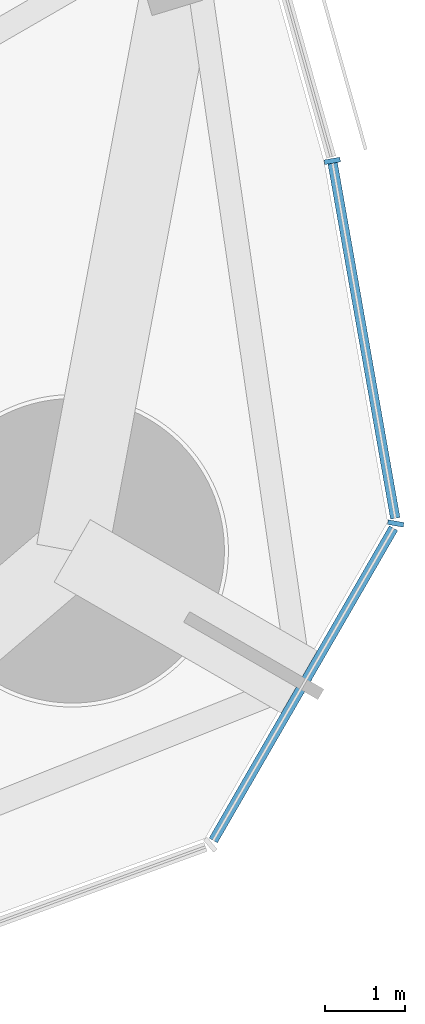
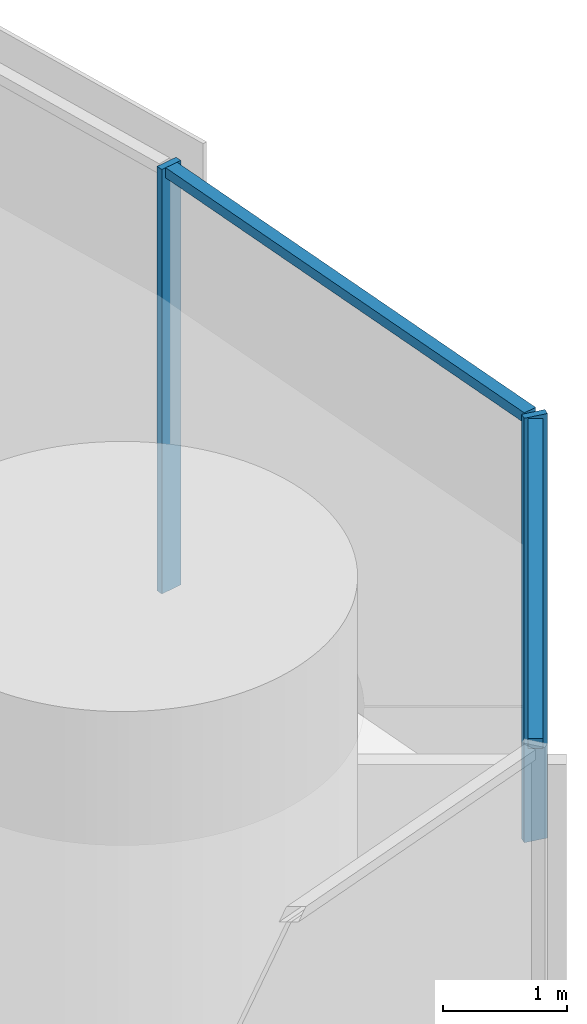
# One storey, part 9 of 18: 4 members, 1 element without a shape of its own.
"""IFC4 building model written with IfcOpenShell, lengths in metres."""

from ifc_helpers import new_model, si_unit, direction, frame, origin, origin_2d, place, context, subcontext, project, spatial, rectangle, extrude, material, material_profile, profile_set, type_object, element, aggregate, save


model = new_model("IFC4")

# Units and contexts
model_context = context("Model", 3, precision=1e-05, world=origin(), true_north=direction((0.0, 1.0)))
body_context = subcontext(model_context, "Body", "Model", "MODEL_VIEW")
ifc_project = project(units=[si_unit("LENGTHUNIT", "METRE"), si_unit("AREAUNIT", "SQUARE_METRE"), si_unit("VOLUMEUNIT", "CUBIC_METRE"), si_unit("PLANEANGLEUNIT", "RADIAN"), si_unit("MASSUNIT", "GRAM", prefix="KILO")], contexts=[model_context])

# Site, building, storey
site_placement = place(None, origin())
site = spatial("IfcSite", under=ifc_project, at=site_placement, CompositionType="ELEMENT")
building_placement = place(site_placement, origin())
building = spatial("IfcBuilding", under=site, at=building_placement, Name="Trefoil Bronze Tower", CompositionType="ELEMENT")
storey_placement = place(building_placement, frame((0.0, 0.0, 198.10009765625)))
storey = spatial("IfcBuildingStorey", under=building, at=storey_placement, Name="L45", CompositionType="ELEMENT", Elevation=198.10009765625)

# Curtain wall, members
ifc_material_1 = material(Name="Tinted solar-control glass", Category="glass")
curtain_wall_type = type_object("IfcCurtainWallType", Name="Bronze rounded corner curtain wall", PredefinedType="USERDEFINED", material=ifc_material_1)
curtain_wall_placement = place(storey_placement, origin())
curtain_wall = element("IfcCurtainWall", 1, at=curtain_wall_placement, inside=storey, type_object=curtain_wall_type, Name="CW-B L45 K1", ObjectType="CURTAIN WALL", PredefinedType="USERDEFINED")
ifc_material_2 = material(Name="Bronze-finish aluminium", Category="aluminium")
ifc_material_profile_1 = material_profile(ifc_material_2, rectangle(XDim=0.199951171875, YDim=0.06005859375, at=origin_2d()), Name="CW-B mullion")
ifc_profile_set_1 = profile_set([ifc_material_profile_1], Name="Bronze-finish aluminium")
member_type_1 = type_object("IfcMemberType", Name="Bronze rounded corner curtain wall mullion", PredefinedType="MULLION", material=ifc_profile_set_1)
member_1_placement = place(storey_placement, frame((32.616943359375, -16.158935546875, 0.0), z_axis=(0.0, 0.0, 1.0), x_axis=(-0.984807753012, 0.173648177667, 0.0)))
member_1 = element("IfcMember", 2, at=member_1_placement, type_object=member_type_1, Name="CW-B L45 K1 mullion 3", PredefinedType="MULLION", context=body_context, shape_type="SweptSolid", body=[
    extrude(rectangle(XDim=0.199951171875, YDim=0.06005859375, at=origin_2d()), origin(), (0.0, 0.0, 1.0), 4.179931640625),
])
member_2_placement = place(storey_placement, frame((31.824951171875, -11.63330078125, 0.0), z_axis=(0.0, 0.0, 1.0), x_axis=(-0.984807753012, -0.173648177667, 0.0)))
member_2 = element("IfcMember", 3, at=member_2_placement, type_object=member_type_1, Name="CW-B L45 K1 mullion 4", PredefinedType="MULLION", context=body_context, shape_type="SweptSolid", body=[
    extrude(rectangle(XDim=0.199951171875, YDim=0.06005859375, at=origin_2d()), origin(), (0.0, 0.0, 1.0), 4.179931640625),
])
ifc_material_3 = material(Name="Bronze-finish aluminium", Category="aluminium")
ifc_material_profile_2 = material_profile(ifc_material_3, rectangle(XDim=0.1201171875, YDim=0.10009765625, at=origin_2d()), Name="CW-B transom")
ifc_profile_set_2 = profile_set([ifc_material_profile_2], Name="Bronze-finish aluminium")
member_type_2 = type_object("IfcMemberType", Name="Bronze rounded corner curtain wall transom", PredefinedType="USERDEFINED", material=ifc_profile_set_2)
member_3_placement = place(storey_placement, frame((30.33984375, -20.114990234375, 4.1298828125), z_axis=(0.500007335828, 0.866021168401, 0.0), x_axis=(-0.866021168401, 0.500007335828, 0.0)))
member_3 = element("IfcMember", 4, at=member_3_placement, type_object=member_type_2, Name="CW-B L45 K1 transom 2", ObjectType="TRANSOM", PredefinedType="USERDEFINED", context=body_context, shape_type="SweptSolid", body=[
    extrude(rectangle(XDim=0.1201171875, YDim=0.10009765625, at=origin_2d()), origin(), (0.0, 0.0, 1.0), 4.50048828125),
])
member_4_placement = place(storey_placement, frame((32.611572265625, -16.0947265625, 4.1298828125), z_axis=(-0.173655350028, 0.984806488304, 0.0), x_axis=(-0.984806488304, -0.173655350028, 0.0)))
member_4 = element("IfcMember", 5, at=member_4_placement, type_object=member_type_2, Name="CW-B L45 K1 transom 3", ObjectType="TRANSOM", PredefinedType="USERDEFINED", context=body_context, shape_type="SweptSolid", body=[
    extrude(rectangle(XDim=0.1201171875, YDim=0.10009765625, at=origin_2d()), origin(), (0.0, 0.0, 1.0), 4.500244140625),
])
aggregate(curtain_wall, [member_1, member_2, member_3, member_4])

save(model, "model.ifc")
